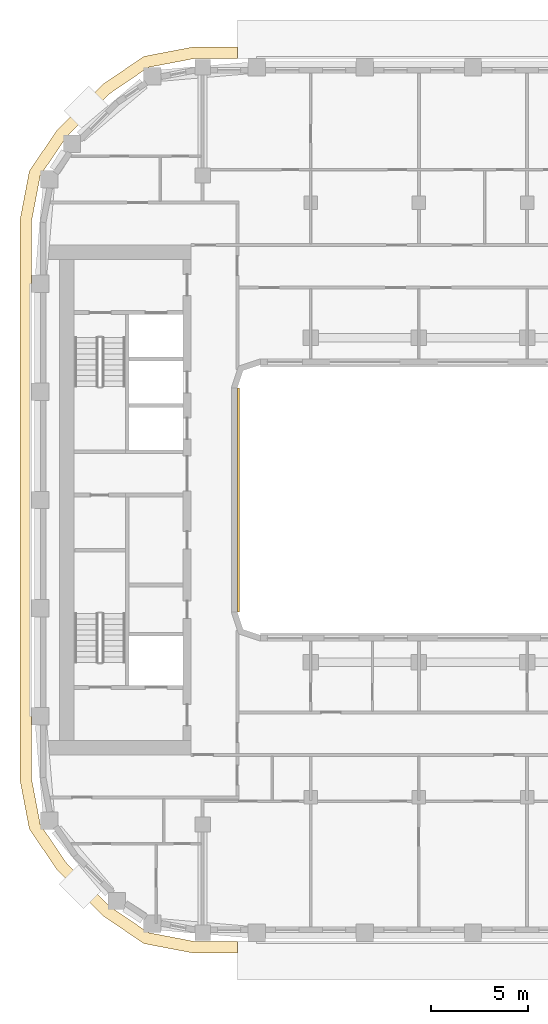
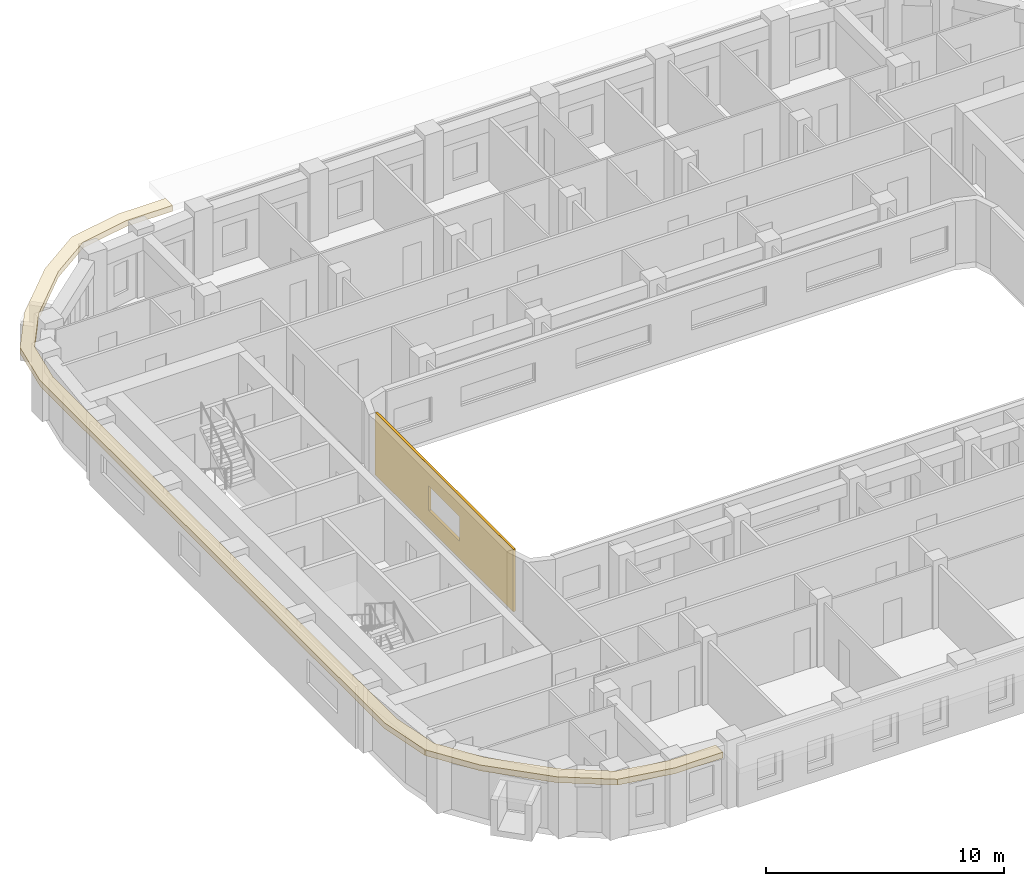
# One storey, part 13 of 21: 2 coverings.
"""IFC4 building model written with IfcOpenShell, lengths in metres."""

from ifc_helpers import new_model, si_unit, direction, frame, origin, place, context, subcontext, project, spatial, polyline, outline, extrude, material, layer, layer_set, type_object, element, save


model = new_model("IFC4")

# Units and contexts
model_context = context("Model", 3, precision=1e-05, world=origin(), true_north=direction((0.0, 1.0)))
body_context = subcontext(model_context, "Body", "Model", "MODEL_VIEW")
ifc_project = project(units=[si_unit("LENGTHUNIT", "METRE"), si_unit("AREAUNIT", "SQUARE_METRE"), si_unit("VOLUMEUNIT", "CUBIC_METRE"), si_unit("PLANEANGLEUNIT", "RADIAN"), si_unit("MASSUNIT", "GRAM", prefix="KILO")], contexts=[model_context])

# Site, building, storey
site_placement = place(None, origin())
site = spatial("IfcSite", under=ifc_project, at=site_placement, CompositionType="ELEMENT")
building_placement = place(site_placement, origin())
building = spatial("IfcBuilding", under=site, at=building_placement, Name="Kiln Ring Residences", CompositionType="ELEMENT")
storey_placement = place(building_placement, frame((0.0, 0.0, 192.39990234375)))
storey = spatial("IfcBuildingStorey", under=building, at=storey_placement, Name="L49", CompositionType="ELEMENT", Elevation=192.39990234375)

# Coverings
ifc_material_1 = material(Name="Brick masonry, dark clay brick", Category="masonry")
ifc_layer_1 = layer(ifc_material_1, 0.1201171875)
ifc_layer_set_1 = layer_set([ifc_layer_1], Name="RAINSCREEN PANEL 120")
covering_type_1 = type_object("IfcCoveringType", Name="RAINSCREEN PANEL 120", PredefinedType="CLADDING", material=ifc_layer_set_1)
covering_1_placement = place(storey_placement, frame((-14.93994140625, -5.800048828125, 0.0), z_axis=(0.0, 0.0, 1.0), x_axis=(0.0, 1.0, 0.0)))
element("IfcCovering", 1, at=covering_1_placement, inside=storey, type_object=covering_type_1, Name="RAINSCREEN L49", PredefinedType="CLADDING", context=body_context, shape_type="SweptSolid", body=[
    extrude(outline(polyline([(0.0, 0.0), (11.60009765625, 0.0), (11.60009765625, 3.2001953125), (0.0, 3.2001953125), (0.0, 0.0)]), holes=[polyline([(4.5, 2.150146484375), (4.5, 0.900146484375), (7.10009765625, 0.900146484375), (7.10009765625, 2.150146484375), (4.5, 2.150146484375)])]), frame((0.0, 0.06005859375, 0.0), z_axis=(0.0, -1.0, 0.0), x_axis=(1.0, 0.0, 0.0)), (0.0, 0.0, 1.0), 0.1201171875),
])
ifc_material_2 = material(Name="Black powder-coated steel", Category="steel")
ifc_layer_2 = layer(ifc_material_2, 0.300048828125)
ifc_layer_set_2 = layer_set([ifc_layer_2], Name="SUNSHADE FIN 600")
covering_type_2 = type_object("IfcCoveringType", Name="SUNSHADE FIN 600", PredefinedType="CLADDING", material=ifc_layer_set_2)
covering_2_placement = place(storey_placement, frame((0.0, 0.0, 3.2001953125)))
element("IfcCovering", 2, at=covering_2_placement, inside=storey, type_object=covering_type_2, Name="SUNSHADE FIN L49", PredefinedType="CLADDING", context=body_context, shape_type="SweptSolid", body=[
    extrude(outline(polyline([(-26.25, -14.499267578125), (-25.766357421875, -17.03466796875), (-24.315673828125, -19.169189453125), (-21.96923828125, -21.515625), (-19.834716796875, -22.96630859375), (-17.29931640625, -23.449951171875), (-15.0, -23.449951171875), (-15.0, -22.85009765625), (-17.242431640625, -22.85009765625), (-19.60009765625, -22.400390625), (-21.585205078125, -21.05126953125), (-23.851318359375, -18.78515625), (-25.2001953125, -16.800048828125), (-25.64990234375, -14.4423828125), (-25.64990234375, 14.4423828125), (-25.2001953125, 16.800048828125), (-23.851318359375, 18.78515625), (-21.585205078125, 21.05126953125), (-19.60009765625, 22.400390625), (-17.242431640625, 22.85009765625), (-15.0, 22.85009765625), (-15.0, 23.449951171875), (-17.29931640625, 23.449951171875), (-19.834716796875, 22.96630859375), (-21.96923828125, 21.515625), (-24.315673828125, 19.169189453125), (-25.766357421875, 17.03466796875), (-26.25, 14.499267578125), (-26.25, -14.499267578125)])), origin(), (0.0, 0.0, 1.0), 0.2998046875),
])

save(model, "model.ifc")
